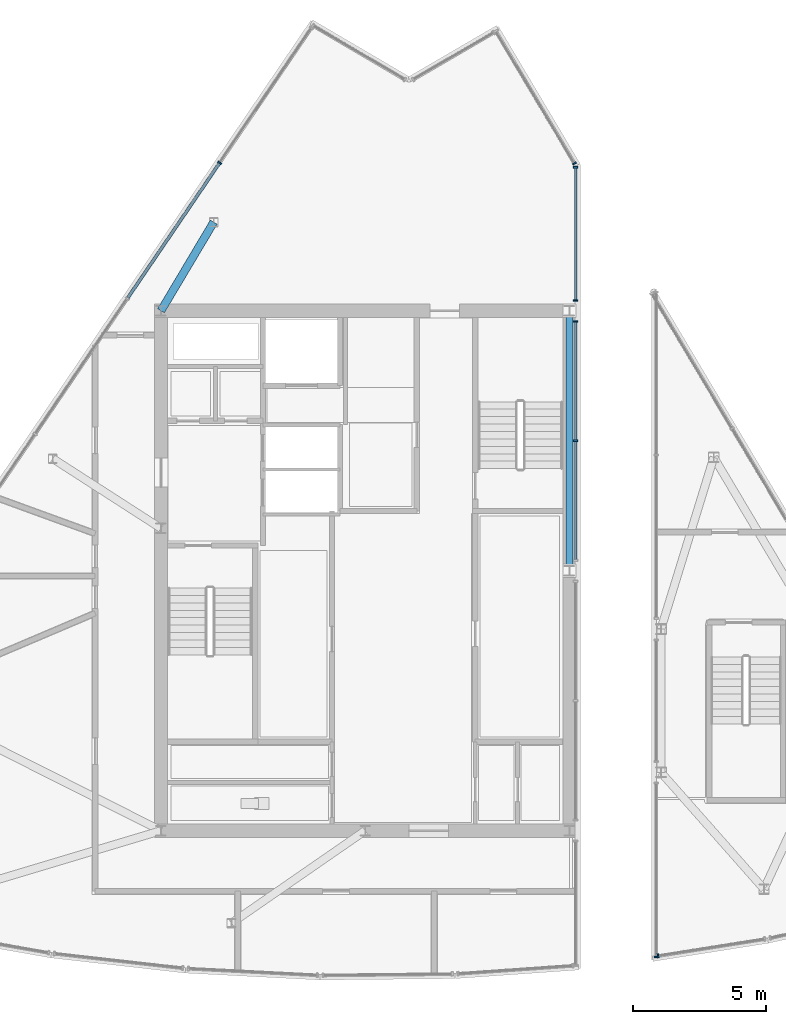
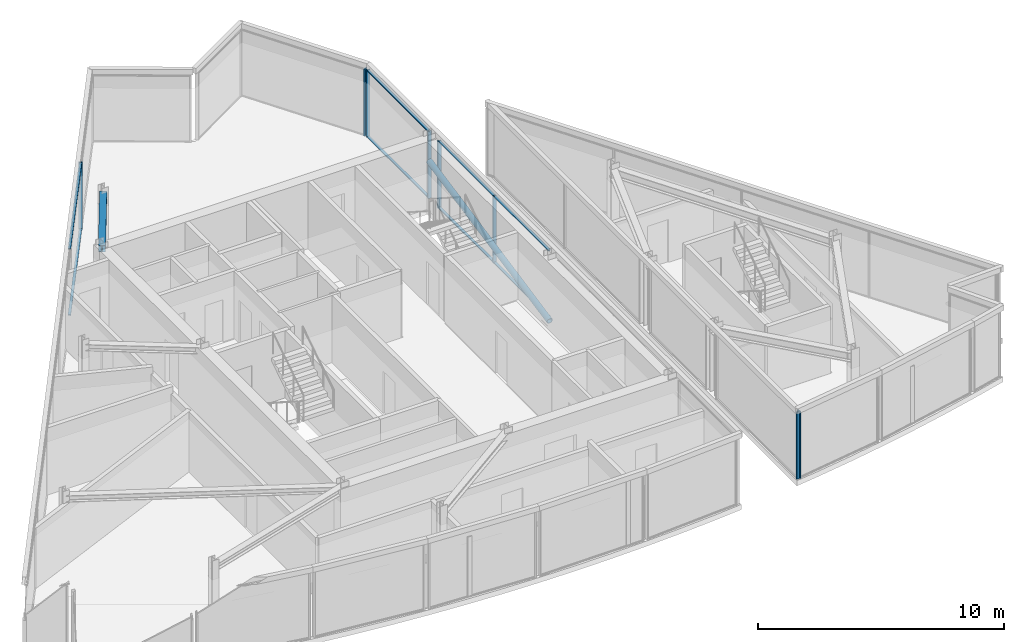
# One storey, part 5 of 15: 17 members, 1 beam, 6 elements without a shape of their own.
"""IFC4 building model written with IfcOpenShell, lengths in metres."""

from ifc_helpers import new_model, si_unit, direction, frame, origin, origin_2d, place, context, subcontext, project, spatial, rectangle, hollow_circle, i_section, extrude, material, material_profile, profile_set, type_object, element, aggregate, save


model = new_model("IFC4")

# Units and contexts
model_context = context("Model", 3, precision=1e-05, world=origin(), true_north=direction((0.0, 1.0)))
body_context = subcontext(model_context, "Body", "Model", "MODEL_VIEW")
ifc_project = project(units=[si_unit("LENGTHUNIT", "METRE"), si_unit("AREAUNIT", "SQUARE_METRE"), si_unit("VOLUMEUNIT", "CUBIC_METRE"), si_unit("PLANEANGLEUNIT", "RADIAN"), si_unit("MASSUNIT", "GRAM", prefix="KILO")], contexts=[model_context])

# Site, building, storey
site_placement = place(None, origin())
site = spatial("IfcSite", under=ifc_project, at=site_placement, CompositionType="ELEMENT")
building_placement = place(site_placement, origin())
building = spatial("IfcBuilding", under=site, at=building_placement, Name="Savorim Split Tower", CompositionType="ELEMENT")
storey_placement = place(building_placement, frame((0.0, 0.0, 308.39990234375)))
storey = spatial("IfcBuildingStorey", under=building, at=storey_placement, Name="Crown L82 Plant", CompositionType="ELEMENT", Elevation=308.39990234375)

# Beam
ifc_material_1 = material(Name="Steel S355", Category="steel")
ifc_material_profile_1 = material_profile(ifc_material_1, i_section(OverallWidth=0.300048828125, OverallDepth=0.320068359375, WebThickness=0.011474609375, FlangeThickness=0.0205078125, FilletRadius=0.027099609375, at=origin_2d()), Name="HEB 320")
ifc_profile_set_1 = profile_set([ifc_material_profile_1], Name="Steel S355")
beam_type = type_object("IfcBeamType", Name="BM-PRI-HEB320", PredefinedType="BEAM", material=ifc_profile_set_1)
beam_placement = place(storey_placement, frame((-5.710205078125, 13.542236328125, 3.18017578125), z_axis=(-0.511539031423, -0.85926004174, 0.0), x_axis=(0.85926004174, -0.511539031423, 0.0)))
element("IfcBeam", 1, at=beam_placement, inside=storey, type_object=beam_type, Name="Crown L82 Plant West Crown Beam WBG-5", PredefinedType="BEAM", context=body_context, shape_type="SweptSolid", body=[
    extrude(i_section(OverallWidth=0.300048828125, OverallDepth=0.320068359375, WebThickness=0.011474609375, FlangeThickness=0.0205078125, FilletRadius=0.027099609375, at=origin_2d()), origin(), (0.0, 0.0, 1.0), 3.8896484375),
])

# Curtain wall, members
ifc_material_2 = material(Name="Dark Ceramic-Fritted Insulated Glass", Category="glass")
curtain_wall_type = type_object("IfcCurtainWallType", Name="CW-CROWN-CREST", PredefinedType="NOTDEFINED", material=ifc_material_2)
curtain_wall_1_placement = place(storey_placement, origin())
curtain_wall_1 = element("IfcCurtainWall", 2, at=curtain_wall_1_placement, inside=storey, type_object=curtain_wall_type, Name="Crown L82 Plant Curtain Wall CW-Crown-L82-Plant-W1AS3", PredefinedType="NOTDEFINED")
ifc_material_3 = material(Name="Charcoal Anodised Aluminium", Category="aluminium")
ifc_material_profile_2 = material_profile(ifc_material_3, rectangle(XDim=0.159912109375, YDim=0.06005859375, at=origin_2d()), Name="ALU-M 160x60")
ifc_profile_set_2 = profile_set([ifc_material_profile_2], Name="Charcoal Anodised Aluminium")
member_type_1 = type_object("IfcMemberType", Name="CWM-160x60", PredefinedType="MULLION", material=ifc_profile_set_2)
member_1_placement = place(storey_placement, frame((7.929931640625, 5.300048828125, 0.0), z_axis=(0.0, 0.0, 1.0), x_axis=(-1.0, 0.0, 0.0)))
member_1 = element("IfcMember", 3, at=member_1_placement, type_object=member_type_1, Name="CW-07 mullion 2", PredefinedType="MULLION", context=body_context, shape_type="SweptSolid", body=[
    extrude(rectangle(XDim=0.159912109375, YDim=0.06005859375, at=origin_2d()), origin(), (0.0, 0.0, 1.0), 3.340087890625),
])
member_2_placement = place(storey_placement, frame((7.929931640625, 9.803955078125, 0.0), z_axis=(0.0, 0.0, 1.0), x_axis=(-1.0, 0.0, 0.0)))
member_2 = element("IfcMember", 4, at=member_2_placement, type_object=member_type_1, Name="CW-07 mullion 3", PredefinedType="MULLION", context=body_context, shape_type="SweptSolid", body=[
    extrude(rectangle(XDim=0.159912109375, YDim=0.06005859375, at=origin_2d()), origin(), (0.0, 0.0, 1.0), 3.340087890625),
])

curtain_wall_2_placement = place(storey_placement, origin())
curtain_wall_2 = element("IfcCurtainWall", 5, at=curtain_wall_2_placement, inside=storey, type_object=curtain_wall_type, Name="Crown L82 Plant Curtain Wall CW-Crown-L82-Plant-W1AS4", PredefinedType="NOTDEFINED")
member_3_placement = place(storey_placement, frame((7.929931640625, 10.595947265625, 0.0), z_axis=(0.0, 0.0, 1.0), x_axis=(-1.0, 0.0, 0.0)))
member_3 = element("IfcMember", 6, at=member_3_placement, type_object=member_type_1, Name="CW-07 mullion 1", PredefinedType="MULLION", context=body_context, shape_type="SweptSolid", body=[
    extrude(rectangle(XDim=0.159912109375, YDim=0.06005859375, at=origin_2d()), origin(), (0.0, 0.0, 1.0), 3.340087890625),
])
member_4_placement = place(storey_placement, frame((7.929931640625, 15.613525390625, 0.0), z_axis=(0.0, 0.0, 1.0), x_axis=(-1.0, 0.0, 0.0)))
member_4 = element("IfcMember", 7, at=member_4_placement, type_object=member_type_1, Name="CW-07 mullion 2", PredefinedType="MULLION", context=body_context, shape_type="SweptSolid", body=[
    extrude(rectangle(XDim=0.159912109375, YDim=0.06005859375, at=origin_2d()), origin(), (0.0, 0.0, 1.0), 3.340087890625),
])

# Curtain wall, member
curtain_wall_3_placement = place(storey_placement, origin())
curtain_wall_3 = element("IfcCurtainWall", 8, at=curtain_wall_3_placement, inside=storey, type_object=curtain_wall_type, Name="Crown L82 Plant Curtain Wall CW-Crown-L82-Plant-W2A", PredefinedType="NOTDEFINED")
member_5_placement = place(storey_placement, frame((7.890625, 15.7568359375, 0.0), z_axis=(0.0, 0.0, 1.0), x_axis=(-0.859522521915, -0.511097871568, 0.0)))
member_5 = element("IfcMember", 9, at=member_5_placement, type_object=member_type_1, Name="CW-07 mullion 1", PredefinedType="MULLION", context=body_context, shape_type="SweptSolid", body=[
    extrude(rectangle(XDim=0.159912109375, YDim=0.06005859375, at=origin_2d()), origin(), (0.0, 0.0, 1.0), 3.340087890625),
])
aggregate(curtain_wall_3, [member_5])

curtain_wall_4_placement = place(storey_placement, origin())
curtain_wall_4 = element("IfcCurtainWall", 10, at=curtain_wall_4_placement, inside=storey, type_object=curtain_wall_type, Name="Crown L82 Plant Curtain Wall CW-Crown-L82-Plant-W5A", PredefinedType="NOTDEFINED")
member_6_placement = place(storey_placement, frame((-5.486328125, 15.779541015625, 0.0), z_axis=(0.0, 0.0, 1.0), x_axis=(0.826820209183, -0.562466302712, 0.0)))
member_6 = element("IfcMember", 11, at=member_6_placement, type_object=member_type_1, Name="CW-07 mullion 2", PredefinedType="MULLION", context=body_context, shape_type="SweptSolid", body=[
    extrude(rectangle(XDim=0.159912109375, YDim=0.06005859375, at=origin_2d()), origin(), (0.0, 0.0, 1.0), 3.340087890625),
])

curtain_wall_5_placement = place(storey_placement, origin())
curtain_wall_5 = element("IfcCurtainWall", 12, at=curtain_wall_5_placement, inside=storey, type_object=curtain_wall_type, Name="Crown L82 Plant Curtain Wall CW-Crown-L82-Plant-E1AS3", PredefinedType="NOTDEFINED")
member_7_placement = place(storey_placement, frame((10.969970703125, -14.160400390625, 0.0), z_axis=(0.0, 0.0, 1.0), x_axis=(1.0, 0.0, 0.0)))
member_7 = element("IfcMember", 13, at=member_7_placement, type_object=member_type_1, Name="CW-07 mullion 2", PredefinedType="MULLION", context=body_context, shape_type="SweptSolid", body=[
    extrude(rectangle(XDim=0.159912109375, YDim=0.06005859375, at=origin_2d()), origin(), (0.0, 0.0, 1.0), 3.340087890625),
])
aggregate(curtain_wall_5, [member_7])

curtain_wall_6_placement = place(storey_placement, origin())
curtain_wall_6 = element("IfcCurtainWall", 14, at=curtain_wall_6_placement, inside=storey, type_object=curtain_wall_type, Name="Crown L82 Plant Curtain Wall CW-Crown-L82-Plant-E2A", PredefinedType="NOTDEFINED")
member_8_placement = place(storey_placement, frame((11.043701171875, -14.118408203125, 0.0), z_axis=(0.0, 0.0, 1.0), x_axis=(-0.156061986472, 0.987747263412, 0.0)))
member_8 = element("IfcMember", 15, at=member_8_placement, type_object=member_type_1, Name="CW-07 mullion 1", PredefinedType="MULLION", context=body_context, shape_type="SweptSolid", body=[
    extrude(rectangle(XDim=0.159912109375, YDim=0.06005859375, at=origin_2d()), origin(), (0.0, 0.0, 1.0), 3.340087890625),
])
aggregate(curtain_wall_6, [member_8])

# Member
ifc_material_profile_3 = material_profile(ifc_material_3, rectangle(XDim=0.1201171875, YDim=0.050048828125, at=origin_2d()), Name="ALU-T 120x50")
ifc_profile_set_3 = profile_set([ifc_material_profile_3], Name="Charcoal Anodised Aluminium")
member_type_2 = type_object("IfcMemberType", Name="CWT-120x50", PredefinedType="USERDEFINED", material=ifc_profile_set_3)
member_9_placement = place(storey_placement, frame((7.929931640625, 0.825927734375, 0.025146484375), z_axis=(0.0, 1.0, 0.0), x_axis=(-1.0, 0.0, 0.0)))
member_9 = element("IfcMember", 16, at=member_9_placement, type_object=member_type_2, Name="CW-07 transom 1.1", ObjectType="TRANSOM", PredefinedType="USERDEFINED", context=body_context, shape_type="SweptSolid", body=[
    extrude(rectangle(XDim=0.1201171875, YDim=0.050048828125, at=origin_2d()), origin(), (0.0, 0.0, 1.0), 4.444091796875),
])

member_10_placement = place(storey_placement, frame((7.929931640625, 0.825927734375, 3.315185546875), z_axis=(0.0, 1.0, 0.0), x_axis=(-1.0, 0.0, 0.0)))
member_10 = element("IfcMember", 17, at=member_10_placement, type_object=member_type_2, Name="CW-07 transom 1.2", ObjectType="TRANSOM", PredefinedType="USERDEFINED", context=body_context, shape_type="SweptSolid", body=[
    extrude(rectangle(XDim=0.1201171875, YDim=0.050048828125, at=origin_2d()), origin(), (0.0, 0.0, 1.0), 4.444091796875),
])

member_11_placement = place(storey_placement, frame((7.929931640625, 5.330078125, 0.025146484375), z_axis=(0.0, 1.0, 0.0), x_axis=(-1.0, 0.0, 0.0)))
member_11 = element("IfcMember", 18, at=member_11_placement, type_object=member_type_2, Name="CW-07 transom 2.1", ObjectType="TRANSOM", PredefinedType="USERDEFINED", context=body_context, shape_type="SweptSolid", body=[
    extrude(rectangle(XDim=0.1201171875, YDim=0.050048828125, at=origin_2d()), origin(), (0.0, 0.0, 1.0), 4.44384765625),
])

member_12_placement = place(storey_placement, frame((7.929931640625, 5.330078125, 3.315185546875), z_axis=(0.0, 1.0, 0.0), x_axis=(-1.0, 0.0, 0.0)))
member_12 = element("IfcMember", 19, at=member_12_placement, type_object=member_type_2, Name="CW-07 transom 2.2", ObjectType="TRANSOM", PredefinedType="USERDEFINED", context=body_context, shape_type="SweptSolid", body=[
    extrude(rectangle(XDim=0.1201171875, YDim=0.050048828125, at=origin_2d()), origin(), (0.0, 0.0, 1.0), 4.44384765625),
])

aggregate(curtain_wall_1, [member_1, member_2, member_9, member_10, member_11, member_12])

member_13_placement = place(storey_placement, frame((7.929931640625, 10.6259765625, 0.025146484375), z_axis=(0.0, 1.0, 0.0), x_axis=(-1.0, 0.0, 0.0)))
member_13 = element("IfcMember", 20, at=member_13_placement, type_object=member_type_2, Name="CW-07 transom 1.1", ObjectType="TRANSOM", PredefinedType="USERDEFINED", context=body_context, shape_type="SweptSolid", body=[
    extrude(rectangle(XDim=0.1201171875, YDim=0.050048828125, at=origin_2d()), origin(), (0.0, 0.0, 1.0), 4.95751953125),
])

member_14_placement = place(storey_placement, frame((7.929931640625, 10.6259765625, 3.315185546875), z_axis=(0.0, 1.0, 0.0), x_axis=(-1.0, 0.0, 0.0)))
member_14 = element("IfcMember", 21, at=member_14_placement, type_object=member_type_2, Name="CW-07 transom 1.2", ObjectType="TRANSOM", PredefinedType="USERDEFINED", context=body_context, shape_type="SweptSolid", body=[
    extrude(rectangle(XDim=0.1201171875, YDim=0.050048828125, at=origin_2d()), origin(), (0.0, 0.0, 1.0), 4.95751953125),
])

aggregate(curtain_wall_2, [member_3, member_4, member_13, member_14])

member_15_placement = place(storey_placement, frame((-5.503173828125, 15.754638671875, 0.025146484375), z_axis=(-0.56247794998, -0.826812285701, 0.0), x_axis=(0.826812285701, -0.56247794998, 0.0)))
member_15 = element("IfcMember", 22, at=member_15_placement, type_object=member_type_2, Name="CW-07 transom 2.1", ObjectType="TRANSOM", PredefinedType="USERDEFINED", context=body_context, shape_type="SweptSolid", body=[
    extrude(rectangle(XDim=0.1201171875, YDim=0.050048828125, at=origin_2d()), origin(), (0.0, 0.0, 1.0), 6.12353515625),
])

member_16_placement = place(storey_placement, frame((-5.503173828125, 15.754638671875, 3.315185546875), z_axis=(-0.56247794998, -0.826812285701, 0.0), x_axis=(0.826812285701, -0.56247794998, 0.0)))
member_16 = element("IfcMember", 23, at=member_16_placement, type_object=member_type_2, Name="CW-07 transom 2.2", ObjectType="TRANSOM", PredefinedType="USERDEFINED", context=body_context, shape_type="SweptSolid", body=[
    extrude(rectangle(XDim=0.1201171875, YDim=0.050048828125, at=origin_2d()), origin(), (0.0, 0.0, 1.0), 6.12353515625),
])

aggregate(curtain_wall_4, [member_6, member_15, member_16])

ifc_material_profile_4 = material_profile(ifc_material_1, hollow_circle(Radius=0.136474609375, WallThickness=0.01611328125, at=origin_2d()), Name="CHS 273x16")
ifc_profile_set_4 = profile_set([ifc_material_profile_4], Name="Steel S355")
member_type_3 = type_object("IfcMemberType", Name="MBR-CRN-CHS273", PredefinedType="BRACE", material=ifc_profile_set_4)
member_17_placement = place(storey_placement, frame((7.699951171875, 0.39990234375, 0.150146484375), z_axis=(0.0, 0.979804253974, 0.199959055543), x_axis=(-1.0, 0.0, 0.0)))
element("IfcMember", 24, at=member_17_placement, inside=storey, type_object=member_type_3, Name="Crown L82 Plant Split Crown Spine Brace 1", PredefinedType="BRACE", context=body_context, shape_type="SweptSolid", body=[
    extrude(hollow_circle(Radius=0.136474609375, WallThickness=0.01611328125, at=origin_2d()), origin(), (0.0, 0.0, 1.0), 10.001953125),
])

save(model, "model.ifc")
